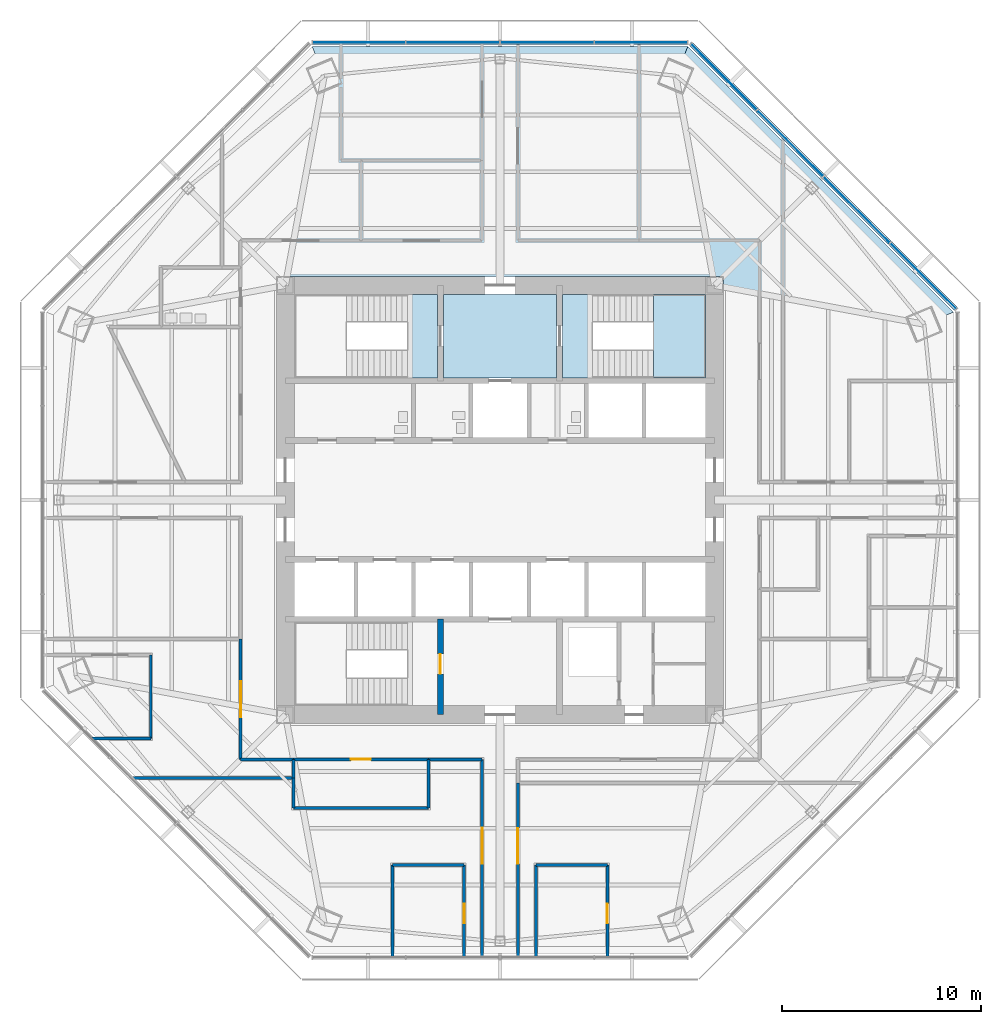
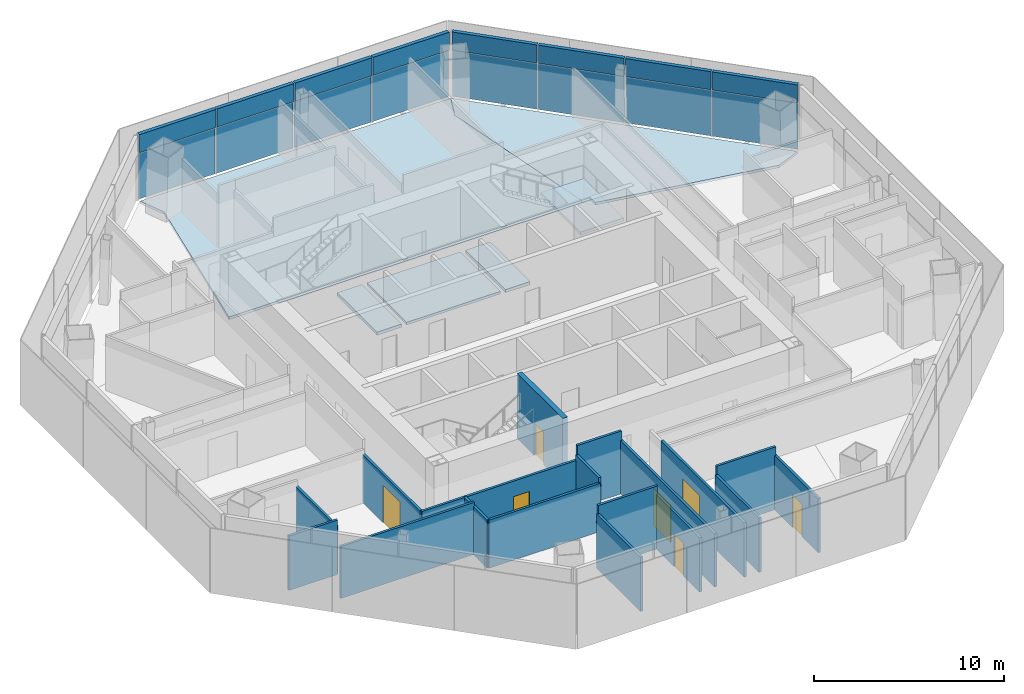
# One storey, part 8 of 15: 20 walls, 16 plates, 7 doors, 6 slabs, 7 openings, 4 elements without a shape of their own.
"""IFC4 building model written with IfcOpenShell, lengths in metres."""

from ifc_helpers import new_model, si_unit, direction, frame, frame_2d, origin, origin_2d, place, context, subcontext, project, spatial, polyline, rectangle, outline, extrude, source, transform, mapped, material, layer, layer_set, type_object, type_shapes, element, fill, aggregate, save


model = new_model("IFC4")

# Units and contexts
model_context = context("Model", 3, precision=1e-05, world=origin(), true_north=direction((0.0, 1.0)))
body_context = subcontext(model_context, "Body", "Model", "MODEL_VIEW")
ifc_project = project(units=[si_unit("LENGTHUNIT", "METRE"), si_unit("AREAUNIT", "SQUARE_METRE"), si_unit("VOLUMEUNIT", "CUBIC_METRE"), si_unit("PLANEANGLEUNIT", "RADIAN"), si_unit("MASSUNIT", "GRAM", prefix="KILO")], contexts=[model_context])

# Site, building, storey
site_placement = place(None, origin())
site = spatial("IfcSite", under=ifc_project, at=site_placement, CompositionType="ELEMENT")
building_placement = place(site_placement, origin())
building = spatial("IfcBuilding", under=site, at=building_placement, Name="Mashrafa Tower", CompositionType="ELEMENT")
storey_placement = place(building_placement, frame((0.0, 0.0, 176.39990234375)))
storey = spatial("IfcBuildingStorey", under=building, at=storey_placement, Name="L40", CompositionType="ELEMENT", Elevation=176.39990234375)

# Slabs
ifc_material_1 = material(Name="Concrete C35/45", Category="concrete")
ifc_layer_1 = layer(ifc_material_1, 0.1650390625)
ifc_layer_set_1 = layer_set([ifc_layer_1], Name="Floor slab 165")
slab_type_1 = type_object("IfcSlabType", Name="Floor slab 165", PredefinedType="FLOOR", material=ifc_layer_set_1)
slab_1_placement = place(storey_placement, frame((0.0, 0.0, -0.164794921875)))
element("IfcSlab", 1, at=slab_1_placement, inside=storey, type_object=slab_type_1, Name="Floor slab L40 north-east bay", PredefinedType="FLOOR", context=body_context, shape_type="SweptSolid", body=[
    extrude(outline(polyline([(9.454345703125, 22.82470703125), (22.82470703125, 9.454345703125), (22.82470703125, 9.454345703125), (21.35107421875, 8.843994140625), (11.25, 10.716552734375), (11.25, 11.25), (10.716552734375, 11.25), (8.843994140625, 21.35107421875), (9.454345703125, 22.82470703125), (9.454345703125, 22.82470703125)])), origin(), (0.0, 0.0, 1.0), 0.164794921875),
])
slab_2_placement = place(storey_placement, frame((0.0, 0.0, -0.164794921875)))
element("IfcSlab", 2, at=slab_2_placement, inside=storey, type_object=slab_type_1, Name="Floor slab L40 north bay", PredefinedType="FLOOR", context=body_context, shape_type="SweptSolid", body=[
    extrude(outline(polyline([(9.454345703125, 22.82470703125), (8.843994140625, 21.35107421875), (10.716552734375, 11.25), (-10.716552734375, 11.25), (-8.843994140625, 21.35107421875), (-9.454345703125, 22.82470703125), (9.454345703125, 22.82470703125)])), origin(), (0.0, 0.0, 1.0), 0.164794921875),
])
slab_3_placement = place(storey_placement, frame((0.0, 0.0, -0.164794921875)))
element("IfcSlab", 3, at=slab_3_placement, inside=storey, type_object=slab_type_1, Name="Core floor fire-fighting lobby north L40", PredefinedType="FLOOR", context=body_context, shape_type="SweptSolid", body=[
    extrude(outline(polyline([(-2.85009765625, 10.35009765625), (2.85009765625, 10.35009765625), (2.85009765625, 6.14990234375), (-2.85009765625, 6.14990234375), (-2.85009765625, 10.35009765625)])), origin(), (0.0, 0.0, 1.0), 0.164794921875),
])

# Stair, slab
ifc_material_2 = material(Name="Exit stair 1400")
stair_type = type_object("IfcStairType", Name="Exit stair 1400", PredefinedType="HALF_TURN_STAIR", material=ifc_material_2)
stair_1_placement = place(storey_placement, origin())
stair_1 = element("IfcStair", 4, at=stair_1_placement, inside=storey, type_object=stair_type, Name="Stair S1 L40", PredefinedType="HALF_TURN_STAIR")
ifc_material_3 = material(Name="Concrete C32/40", Category="concrete")
ifc_layer_2 = layer(ifc_material_3, 0.199951171875)
ifc_layer_set_2 = layer_set([ifc_layer_2], Name="Stair landing 200")
slab_type_2 = type_object("IfcSlabType", Name="Stair landing 200", PredefinedType="LANDING", material=ifc_layer_set_2)
slab_4_placement = place(storey_placement, frame((0.0, 0.0, -0.199951171875)))
slab_4 = element("IfcSlab", 5, at=slab_4_placement, type_object=slab_type_2, Name="S1 landing 1", PredefinedType="LANDING", context=body_context, shape_type="SweptSolid", body=[
    extrude(outline(polyline([(-4.659912109375, 6.14990234375), (-3.14990234375, 6.14990234375), (-3.14990234375, 10.35009765625), (-4.659912109375, 10.35009765625), (-4.659912109375, 6.14990234375)])), origin(), (0.0, 0.0, 1.0), 0.199951171875),
])
aggregate(stair_1, [slab_4])

# Stair, slabs
stair_2_placement = place(storey_placement, origin())
stair_2 = element("IfcStair", 6, at=stair_2_placement, inside=storey, type_object=stair_type, Name="Stair S2 L40", PredefinedType="HALF_TURN_STAIR")
slab_5_placement = place(storey_placement, frame((0.0, 0.0, -0.199951171875)))
slab_5 = element("IfcSlab", 7, at=slab_5_placement, type_object=slab_type_2, Name="S2 landing 1", PredefinedType="LANDING", context=body_context, shape_type="SweptSolid", body=[
    extrude(outline(polyline([(3.14990234375, 6.14990234375), (4.659912109375, 6.14990234375), (4.659912109375, 10.35009765625), (3.14990234375, 10.35009765625), (3.14990234375, 6.14990234375)])), origin(), (0.0, 0.0, 1.0), 0.199951171875),
])
slab_6_placement = place(storey_placement, frame((0.0, 0.0, 1.900146484375)))
slab_6 = element("IfcSlab", 8, at=slab_6_placement, type_object=slab_type_2, Name="S2 landing 2", PredefinedType="LANDING", context=body_context, shape_type="SweptSolid", body=[
    extrude(outline(polyline([(7.719970703125, 6.14990234375), (10.35009765625, 6.14990234375), (10.35009765625, 10.35009765625), (7.719970703125, 10.35009765625), (7.719970703125, 6.14990234375)])), origin(), (0.0, 0.0, 1.0), 0.199951171875),
])
aggregate(stair_2, [slab_5, slab_6])

# Curtain wall, plates
ifc_material_4 = material(Name="Unitised aluminium curtain wall", Category="aluminium")
curtain_wall_type = type_object("IfcCurtainWallType", Name="Office curtain wall, zone 2 CW-B 225 deep", PredefinedType="NOTDEFINED", material=ifc_material_4)
curtain_wall_1_placement = place(storey_placement, origin())
curtain_wall_1 = element("IfcCurtainWall", 9, at=curtain_wall_1_placement, inside=storey, type_object=curtain_wall_type, Name="Office curtain wall, zone 2 L40 north-east", PredefinedType="NOTDEFINED")
ifc_material_5 = material(Name="Insulated double glazing, low-e, neutral", Category="glass")
ifc_layer_3 = layer(ifc_material_5, 0.028076171875)
ifc_layer_set_3 = layer_set([ifc_layer_3], Name="Vision panel CW-B 28")
plate_type_1 = type_object("IfcPlateType", Name="Vision panel CW-B 28", PredefinedType="CURTAIN_PANEL", material=ifc_layer_set_3)
shared_shape_1 = source(origin(), body_context, "Body", "SweptSolid", [
    extrude(rectangle(XDim=4.642822265625, YDim=0.028076171875, at=origin_2d()), origin(), (0.0, 0.0, 1.0), 2.9599609375),
])
plate_1_placement = place(storey_placement, frame((21.297119140625, 11.2646484375, 0.0), z_axis=(0.0, 0.0, 1.0), x_axis=(-0.707106781187, 0.707106781187, 0.0)))
plate_1 = element("IfcPlate", 10, at=plate_1_placement, type_object=plate_type_1, Name="CW-B vision panel 1", PredefinedType="CURTAIN_PANEL", context=body_context, shape_type="MappedRepresentation", body=[
    mapped(shared_shape_1, transform((0.0, 0.0, 0.0))),
])
plate_2_placement = place(storey_placement, frame((11.2646484375, 21.297119140625, 0.0), z_axis=(0.0, 0.0, 1.0), x_axis=(-0.707106781187, 0.707106781187, 0.0)))
plate_2 = element("IfcPlate", 11, at=plate_2_placement, type_object=plate_type_1, Name="CW-B vision panel 4", PredefinedType="CURTAIN_PANEL", context=body_context, shape_type="MappedRepresentation", body=[
    mapped(shared_shape_1, transform((0.0, 0.0, 0.0))),
])

curtain_wall_2_placement = place(storey_placement, origin())
curtain_wall_2 = element("IfcCurtainWall", 12, at=curtain_wall_2_placement, inside=storey, type_object=curtain_wall_type, Name="Office curtain wall, zone 2 L40 north", PredefinedType="NOTDEFINED")
plate_3_placement = place(storey_placement, frame((7.09423828125, 23.024658203125, 0.0), z_axis=(0.0, 0.0, 1.0), x_axis=(-1.0, 0.0, 0.0)))
plate_3 = element("IfcPlate", 13, at=plate_3_placement, type_object=plate_type_1, Name="CW-B vision panel 1", PredefinedType="CURTAIN_PANEL", context=body_context, shape_type="MappedRepresentation", body=[
    mapped(shared_shape_1, transform((0.0, 0.0, 0.0))),
])
plate_4_placement = place(storey_placement, frame((-7.09423828125, 23.024658203125, 0.0), z_axis=(0.0, 0.0, 1.0), x_axis=(-1.0, 0.0, 0.0)))
plate_4 = element("IfcPlate", 14, at=plate_4_placement, type_object=plate_type_1, Name="CW-B vision panel 4", PredefinedType="CURTAIN_PANEL", context=body_context, shape_type="MappedRepresentation", body=[
    mapped(shared_shape_1, transform((0.0, 0.0, 0.0))),
])

# Plate
ifc_material_6 = material(Name="Insulated aluminium spandrel panel", Category="aluminium")
ifc_layer_4 = layer(ifc_material_6, 0.219970703125)
ifc_layer_set_4 = layer_set([ifc_layer_4], Name="Spandrel panel CW-B 220")
plate_type_2 = type_object("IfcPlateType", Name="Spandrel panel CW-B 220", PredefinedType="CURTAIN_PANEL", material=ifc_layer_set_4)
shared_shape_2 = source(origin(), body_context, "Body", "SweptSolid", [
    extrude(rectangle(XDim=4.642822265625, YDim=0.219970703125, at=origin_2d()), origin(), (0.0, 0.0, 1.0), 1.159912109375),
])
plate_5_placement = place(storey_placement, frame((21.297119140625, 11.2646484375, 3.0400390625), z_axis=(0.0, 0.0, 1.0), x_axis=(-0.707106781187, 0.707106781187, 0.0)))
plate_5 = element("IfcPlate", 15, at=plate_5_placement, type_object=plate_type_2, Name="CW-B spandrel panel 1", PredefinedType="CURTAIN_PANEL", context=body_context, shape_type="MappedRepresentation", body=[
    mapped(shared_shape_2, transform((0.0, 0.0, 0.0))),
])

plate_6_placement = place(storey_placement, frame((11.2646484375, 21.297119140625, 3.0400390625), z_axis=(0.0, 0.0, 1.0), x_axis=(-0.707106781187, 0.707106781187, 0.0)))
plate_6 = element("IfcPlate", 16, at=plate_6_placement, type_object=plate_type_2, Name="CW-B spandrel panel 4", PredefinedType="CURTAIN_PANEL", context=body_context, shape_type="MappedRepresentation", body=[
    mapped(shared_shape_2, transform((0.0, 0.0, 0.0))),
])

plate_7_placement = place(storey_placement, frame((7.09423828125, 23.024658203125, 3.0400390625), z_axis=(0.0, 0.0, 1.0), x_axis=(-1.0, 0.0, 0.0)))
plate_7 = element("IfcPlate", 17, at=plate_7_placement, type_object=plate_type_2, Name="CW-B spandrel panel 1", PredefinedType="CURTAIN_PANEL", context=body_context, shape_type="MappedRepresentation", body=[
    mapped(shared_shape_2, transform((0.0, 0.0, 0.0))),
])

plate_8_placement = place(storey_placement, frame((-7.09423828125, 23.024658203125, 3.0400390625), z_axis=(0.0, 0.0, 1.0), x_axis=(-1.0, 0.0, 0.0)))
plate_8 = element("IfcPlate", 18, at=plate_8_placement, type_object=plate_type_2, Name="CW-B spandrel panel 4", PredefinedType="CURTAIN_PANEL", context=body_context, shape_type="MappedRepresentation", body=[
    mapped(shared_shape_2, transform((0.0, 0.0, 0.0))),
])

shared_shape_3 = source(origin(), body_context, "Body", "SweptSolid", [
    extrude(rectangle(XDim=4.67529296875, YDim=0.028076171875, at=origin_2d()), origin(), (0.0, 0.0, 1.0), 2.9599609375),
])
type_shapes(plate_type_1, [shared_shape_1, shared_shape_3])
plate_9_placement = place(storey_placement, frame((17.956787109375, 14.60498046875, 0.0), z_axis=(0.0, 0.0, 1.0), x_axis=(-0.707106781187, 0.707106781187, 0.0)))
plate_9 = element("IfcPlate", 19, at=plate_9_placement, type_object=plate_type_1, Name="CW-B vision panel 2", PredefinedType="CURTAIN_PANEL", context=body_context, shape_type="MappedRepresentation", body=[
    mapped(shared_shape_3, transform((0.0, 0.0, 0.0))),
])

plate_10_placement = place(storey_placement, frame((14.60498046875, 17.956787109375, 0.0), z_axis=(0.0, 0.0, 1.0), x_axis=(-0.707106781187, 0.707106781187, 0.0)))
plate_10 = element("IfcPlate", 20, at=plate_10_placement, type_object=plate_type_1, Name="CW-B vision panel 3", PredefinedType="CURTAIN_PANEL", context=body_context, shape_type="MappedRepresentation", body=[
    mapped(shared_shape_3, transform((0.0, 0.0, 0.0))),
])

plate_11_placement = place(storey_placement, frame((2.3701171875, 23.024658203125, 0.0), z_axis=(0.0, 0.0, 1.0), x_axis=(-1.0, 0.0, 0.0)))
plate_11 = element("IfcPlate", 21, at=plate_11_placement, type_object=plate_type_1, Name="CW-B vision panel 2", PredefinedType="CURTAIN_PANEL", context=body_context, shape_type="MappedRepresentation", body=[
    mapped(shared_shape_3, transform((0.0, 0.0, 0.0))),
])

plate_12_placement = place(storey_placement, frame((-2.3701171875, 23.024658203125, 0.0), z_axis=(0.0, 0.0, 1.0), x_axis=(-1.0, 0.0, 0.0)))
plate_12 = element("IfcPlate", 22, at=plate_12_placement, type_object=plate_type_1, Name="CW-B vision panel 3", PredefinedType="CURTAIN_PANEL", context=body_context, shape_type="MappedRepresentation", body=[
    mapped(shared_shape_3, transform((0.0, 0.0, 0.0))),
])

shared_shape_4 = source(origin(), body_context, "Body", "SweptSolid", [
    extrude(rectangle(XDim=4.67529296875, YDim=0.219970703125, at=origin_2d()), origin(), (0.0, 0.0, 1.0), 1.159912109375),
])
type_shapes(plate_type_2, [shared_shape_2, shared_shape_4])
plate_13_placement = place(storey_placement, frame((17.956787109375, 14.60498046875, 3.0400390625), z_axis=(0.0, 0.0, 1.0), x_axis=(-0.707106781187, 0.707106781187, 0.0)))
plate_13 = element("IfcPlate", 23, at=plate_13_placement, type_object=plate_type_2, Name="CW-B spandrel panel 2", PredefinedType="CURTAIN_PANEL", context=body_context, shape_type="MappedRepresentation", body=[
    mapped(shared_shape_4, transform((0.0, 0.0, 0.0))),
])

plate_14_placement = place(storey_placement, frame((14.60498046875, 17.956787109375, 3.0400390625), z_axis=(0.0, 0.0, 1.0), x_axis=(-0.707106781187, 0.707106781187, 0.0)))
plate_14 = element("IfcPlate", 24, at=plate_14_placement, type_object=plate_type_2, Name="CW-B spandrel panel 3", PredefinedType="CURTAIN_PANEL", context=body_context, shape_type="MappedRepresentation", body=[
    mapped(shared_shape_4, transform((0.0, 0.0, 0.0))),
])

aggregate(curtain_wall_1, [plate_1, plate_5, plate_9, plate_13, plate_10, plate_14, plate_2, plate_6])

plate_15_placement = place(storey_placement, frame((2.3701171875, 23.024658203125, 3.0400390625), z_axis=(0.0, 0.0, 1.0), x_axis=(-1.0, 0.0, 0.0)))
plate_15 = element("IfcPlate", 25, at=plate_15_placement, type_object=plate_type_2, Name="CW-B spandrel panel 2", PredefinedType="CURTAIN_PANEL", context=body_context, shape_type="MappedRepresentation", body=[
    mapped(shared_shape_4, transform((0.0, 0.0, 0.0))),
])

plate_16_placement = place(storey_placement, frame((-2.3701171875, 23.024658203125, 3.0400390625), z_axis=(0.0, 0.0, 1.0), x_axis=(-1.0, 0.0, 0.0)))
plate_16 = element("IfcPlate", 26, at=plate_16_placement, type_object=plate_type_2, Name="CW-B spandrel panel 3", PredefinedType="CURTAIN_PANEL", context=body_context, shape_type="MappedRepresentation", body=[
    mapped(shared_shape_4, transform((0.0, 0.0, 0.0))),
])

aggregate(curtain_wall_2, [plate_3, plate_7, plate_11, plate_15, plate_12, plate_16, plate_4, plate_8])

# Wall, opening, door
ifc_material_7 = material(Name="Concrete C60/75", Category="concrete")
ifc_layer_5 = layer(ifc_material_7, 0.300048828125)
ifc_layer_set_5 = layer_set([ifc_layer_5], Name="Core wall 300 C60/75")
wall_type_1 = type_object("IfcWallType", Name="Core wall 300 C60/75", PredefinedType="SOLIDWALL", material=ifc_layer_set_5)
wall_1_placement = place(storey_placement, frame((-3.0, -6.0, 0.0), z_axis=(0.0, 0.0, 1.0), x_axis=(0.0, -1.0, 0.0)))
wall_1 = element("IfcWall", 27, at=wall_1_placement, inside=storey, type_object=wall_type_1, Name="Core wall CX-SW L40", PredefinedType="SOLIDWALL", context=body_context, shape_type="SweptSolid", body=[
    extrude(rectangle(XDim=4.800048828125, YDim=0.300048828125, at=frame_2d((2.39990234375, 0.0))), origin(), (0.0, 0.0, 1.0), 4.2001953125),
])
opening_1_placement = place(wall_1_placement, frame((1.75, 0.0, 0.0)))
opening_1 = element("IfcOpeningElement", 28, at=opening_1_placement, cuts=wall_1, Name="Opening 40.032", PredefinedType="OPENING", context=body_context, shape_type="SweptSolid", body=[
    extrude(rectangle(XDim=1.0, YDim=2.10009765625, at=frame_2d((0.5, 1.050048828125))), frame((0.0, 0.159912109375, 0.0), z_axis=(0.0, -1.0, 0.0), x_axis=(1.0, 0.0, 0.0)), (0.0, 0.0, 1.0), 0.320068359375),
])
ifc_material_8 = material(Name="Steel door", Category="steel")
door_type_1 = type_object("IfcDoorType", Name="Stair door 1000 x 2100 90 min", OperationType="USERDEFINED", PredefinedType="DOOR", material=ifc_material_8)
door_1_placement = place(opening_1_placement, frame((1.0, 0.0, 0.0), z_axis=(0.0, 0.0, 1.0), x_axis=(-1.0, 0.0, 0.0)))
door_1 = element("IfcDoor", 29, at=door_1_placement, inside=storey, type_object=door_type_1, Name="Stair S3 door L40", OperationType="SINGLE_SWING_RIGHT", OverallHeight=2.10009765625, OverallWidth=1.0, PredefinedType="DOOR", context=body_context, shape_type="SweptSolid", body=[
    extrude(rectangle(XDim=1.0, YDim=2.10009765625, at=frame_2d((0.5, 1.050048828125))), frame((0.0, 0.02490234375, 0.0), z_axis=(0.0, -1.0, 0.0), x_axis=(1.0, 0.0, 0.0)), (0.0, 0.0, 1.0), 0.050048828125),
])
fill(opening_1, door_1)

ifc_material_9 = material(Name="Gypsum board on steel studs", Category="steel")
ifc_layer_6 = layer(ifc_material_9, 0.14990234375)
ifc_layer_set_6 = layer_set([ifc_layer_6], Name="Corridor partition 150 1 hr")
wall_type_2 = type_object("IfcWallType", Name="Corridor partition 150 1 hr", PredefinedType="PARTITIONING", material=ifc_layer_set_6)
wall_2_placement = place(storey_placement, frame((-10.40087890625, -13.050048828125, 0.0), z_axis=(0.0, 0.0, 1.0), x_axis=(1.0, 0.0, 0.0)))
wall_2 = element("IfcWall", 30, at=wall_2_placement, inside=storey, type_object=wall_type_2, Name="Corridor wall L40-006", PredefinedType="PARTITIONING", context=body_context, shape_type="SweptSolid", body=[
    extrude(rectangle(XDim=6.8017578125, YDim=0.14990234375, at=frame_2d((3.40087890625, 0.0))), origin(), (0.0, 0.0, 1.0), 3.097900390625),
])
opening_2_placement = place(wall_2_placement, frame((2.90087890625, 0.0, 0.0)))
opening_2 = element("IfcOpeningElement", 31, at=opening_2_placement, cuts=wall_2, Name="Opening 40.006", PredefinedType="OPENING", context=body_context, shape_type="SweptSolid", body=[
    extrude(rectangle(XDim=1.0, YDim=2.10009765625, at=frame_2d((0.5, 1.050048828125))), frame((0.0, 0.0849609375, 0.0), z_axis=(0.0, -1.0, 0.0), x_axis=(1.0, 0.0, 0.0)), (0.0, 0.0, 1.0), 0.169921875),
])
ifc_material_10 = material(Name="Timber door", Category="wood")
door_type_2 = type_object("IfcDoorType", Name="Door 1000 x 2100", OperationType="USERDEFINED", PredefinedType="DOOR", material=ifc_material_10)
door_2_placement = place(opening_2_placement, frame((1.0, 0.0, 0.0), z_axis=(0.0, 0.0, 1.0), x_axis=(-1.0, 0.0, 0.0)))
door_2 = element("IfcDoor", 32, at=door_2_placement, inside=storey, type_object=door_type_2, Name="Executive Pantry 40 door", OperationType="SINGLE_SWING_LEFT", OverallHeight=2.10009765625, OverallWidth=1.0, PredefinedType="DOOR", context=body_context, shape_type="SweptSolid", body=[
    extrude(rectangle(XDim=1.0, YDim=2.10009765625, at=frame_2d((0.5, 1.050048828125))), frame((0.0, 0.02490234375, 0.0), z_axis=(0.0, -1.0, 0.0), x_axis=(1.0, 0.0, 0.0)), (0.0, 0.0, 1.0), 0.050048828125),
])
fill(opening_2, door_2)

# Wall
wall_3_placement = place(storey_placement, frame((-3.60107421875, -13.050048828125, 0.0), z_axis=(0.0, 0.0, 1.0), x_axis=(1.0, 0.0, 0.0)))
element("IfcWall", 33, at=wall_3_placement, inside=storey, type_object=wall_type_2, Name="Corridor wall L40-020", PredefinedType="PARTITIONING", context=body_context, shape_type="SweptSolid", body=[
    extrude(rectangle(XDim=2.701171875, YDim=0.14990234375, at=frame_2d((1.3505859375, 0.0))), origin(), (0.0, 0.0, 1.0), 4.03515625),
])

# Wall, opening, door
wall_4_placement = place(storey_placement, frame((-0.89990234375, -13.050048828125, 0.0), z_axis=(0.0, 0.0, 1.0), x_axis=(0.0, -1.0, 0.0)))
wall_4 = element("IfcWall", 34, at=wall_4_placement, inside=storey, type_object=wall_type_2, Name="Corridor wall L40-021", PredefinedType="PARTITIONING", context=body_context, shape_type="SweptSolid", body=[
    extrude(rectangle(XDim=9.95849609375, YDim=0.14990234375, at=frame_2d((4.979248046875, 0.0))), origin(), (0.0, 0.0, 1.0), 3.42578125),
])
opening_3_placement = place(wall_4_placement, frame((3.452392578125, 0.0, 0.0)))
opening_3 = element("IfcOpeningElement", 35, at=opening_3_placement, cuts=wall_4, Name="Opening 40.018", PredefinedType="OPENING", context=body_context, shape_type="SweptSolid", body=[
    extrude(rectangle(XDim=1.800048828125, YDim=2.39990234375, at=frame_2d((0.89990234375, 1.199951171875))), frame((0.0, 0.0849609375, 0.0), z_axis=(0.0, -1.0, 0.0), x_axis=(1.0, 0.0, 0.0)), (0.0, 0.0, 1.0), 0.169921875),
])
ifc_material_11 = material(Name="Timber door", Category="wood")
door_type_3 = type_object("IfcDoorType", Name="Door pair 1800 x 2400", OperationType="DOUBLE_DOOR_SINGLE_SWING", PredefinedType="DOOR", material=ifc_material_11)
door_3_placement = place(opening_3_placement, frame((1.800048828125, 0.0, 0.0), z_axis=(0.0, 0.0, 1.0), x_axis=(-1.0, 0.0, 0.0)))
door_3 = element("IfcDoor", 36, at=door_3_placement, inside=storey, type_object=door_type_3, Name="Board Secretariat Office 40-SW3 door", OperationType="DOUBLE_DOOR_SINGLE_SWING", OverallHeight=2.39990234375, OverallWidth=1.800048828125, PredefinedType="DOOR", context=body_context, shape_type="SweptSolid", body=[
    extrude(rectangle(XDim=1.800048828125, YDim=2.39990234375, at=frame_2d((0.89990234375, 1.199951171875))), frame((0.0, 0.02490234375, 0.0), z_axis=(0.0, -1.0, 0.0), x_axis=(1.0, 0.0, 0.0)), (0.0, 0.0, 1.0), 0.050048828125),
])
fill(opening_3, door_3)

wall_5_placement = place(storey_placement, frame((-13.050048828125, -6.9990234375, 0.0), z_axis=(0.0, 0.0, 1.0), x_axis=(0.0, -1.0, 0.0)))
wall_5 = element("IfcWall", 37, at=wall_5_placement, inside=storey, type_object=wall_type_2, Name="Corridor wall L40-022", PredefinedType="PARTITIONING", context=body_context, shape_type="SweptSolid", body=[
    extrude(rectangle(XDim=6.051025390625, YDim=0.14990234375, at=frame_2d((3.025390625, 0.0))), origin(), (0.0, 0.0, 1.0), 3.097900390625),
])
opening_4_placement = place(wall_5_placement, frame((2.12548828125, 0.0, 0.0)))
opening_4 = element("IfcOpeningElement", 38, at=opening_4_placement, cuts=wall_5, Name="Opening 40.019", PredefinedType="OPENING", context=body_context, shape_type="SweptSolid", body=[
    extrude(rectangle(XDim=1.800048828125, YDim=2.39990234375, at=frame_2d((0.89990234375, 1.199951171875))), frame((0.0, 0.0849609375, 0.0), z_axis=(0.0, -1.0, 0.0), x_axis=(1.0, 0.0, 0.0)), (0.0, 0.0, 1.0), 0.169921875),
])
door_4_placement = place(opening_4_placement, frame((1.800048828125, 0.0, 0.0), z_axis=(0.0, 0.0, 1.0), x_axis=(-1.0, 0.0, 0.0)))
door_4 = element("IfcDoor", 39, at=door_4_placement, inside=storey, type_object=door_type_3, Name="Corporate Affairs Office 40-SW2 door", OperationType="DOUBLE_DOOR_SINGLE_SWING", OverallHeight=2.39990234375, OverallWidth=1.800048828125, PredefinedType="DOOR", context=body_context, shape_type="SweptSolid", body=[
    extrude(rectangle(XDim=1.800048828125, YDim=2.39990234375, at=frame_2d((0.89990234375, 1.199951171875))), frame((0.0, 0.02490234375, 0.0), z_axis=(0.0, -1.0, 0.0), x_axis=(1.0, 0.0, 0.0)), (0.0, 0.0, 1.0), 0.050048828125),
])
fill(opening_4, door_4)

# Wall
wall_6_placement = place(storey_placement, frame((-13.050048828125, -13.050048828125, 0.0), z_axis=(0.0, 0.0, 1.0), x_axis=(1.0, 0.0, 0.0)))
element("IfcWall", 40, at=wall_6_placement, inside=storey, type_object=wall_type_2, Name="Corridor wall L40-023", PredefinedType="PARTITIONING", context=body_context, shape_type="SweptSolid", body=[
    extrude(rectangle(XDim=2.651123046875, YDim=0.14990234375, at=frame_2d((1.32568359375, 0.0))), origin(), (0.0, 0.0, 1.0), 3.097900390625),
])

# Wall, opening, door
wall_7_placement = place(storey_placement, frame((0.89990234375, -23.008544921875, 0.0), z_axis=(0.0, 0.0, 1.0), x_axis=(0.0, 1.0, 0.0)))
wall_7 = element("IfcWall", 41, at=wall_7_placement, inside=storey, type_object=wall_type_2, Name="Corridor wall L40-026", PredefinedType="PARTITIONING", context=body_context, shape_type="SweptSolid", body=[
    extrude(rectangle(XDim=8.759521484375, YDim=0.14990234375, at=frame_2d((4.3798828125, 0.0))), origin(), (0.0, 0.0, 1.0), 3.49169921875),
])
opening_5_placement = place(wall_7_placement, frame((4.701904296875, 0.0, 0.0)))
opening_5 = element("IfcOpeningElement", 42, at=opening_5_placement, cuts=wall_7, Name="Opening 40.021", PredefinedType="OPENING", context=body_context, shape_type="SweptSolid", body=[
    extrude(rectangle(XDim=1.800048828125, YDim=2.39990234375, at=frame_2d((0.89990234375, 1.199951171875))), frame((0.0, 0.0849609375, 0.0), z_axis=(0.0, -1.0, 0.0), x_axis=(1.0, 0.0, 0.0)), (0.0, 0.0, 1.0), 0.169921875),
])
door_5_placement = place(opening_5_placement, frame((1.800048828125, 0.0, 0.0), z_axis=(0.0, 0.0, 1.0), x_axis=(-1.0, 0.0, 0.0)))
door_5 = element("IfcDoor", 43, at=door_5_placement, inside=storey, type_object=door_type_3, Name="Board Secretariat Office 40-SE3 door", OperationType="DOUBLE_DOOR_SINGLE_SWING", OverallHeight=2.39990234375, OverallWidth=1.800048828125, PredefinedType="DOOR", context=body_context, shape_type="SweptSolid", body=[
    extrude(rectangle(XDim=1.800048828125, YDim=2.39990234375, at=frame_2d((0.89990234375, 1.199951171875))), frame((0.0, 0.02490234375, 0.0), z_axis=(0.0, -1.0, 0.0), x_axis=(1.0, 0.0, 0.0)), (0.0, 0.0, 1.0), 0.050048828125),
])
fill(opening_5, door_5)

# Walls
ifc_material_12 = material(Name="Gypsum board on steel studs", Category="steel")
ifc_layer_7 = layer(ifc_material_12, 0.14990234375)
ifc_layer_set_7 = layer_set([ifc_layer_7], Name="Partition 150")
wall_type_3 = type_object("IfcWallType", Name="Partition 150", PredefinedType="PARTITIONING", material=ifc_layer_set_7)
wall_8_placement = place(storey_placement, frame((-20.537841796875, -12.0, 0.0), z_axis=(0.0, 0.0, 1.0), x_axis=(1.0, 0.0, 0.0)))
element("IfcWall", 44, at=wall_8_placement, inside=storey, type_object=wall_type_3, Name="Partition wall L40-044", PredefinedType="PARTITIONING", context=body_context, shape_type="SweptSolid", body=[
    extrude(rectangle(XDim=2.963134765625, YDim=0.14990234375, at=frame_2d((1.4814453125, 0.0))), origin(), (0.0, 0.0, 1.0), 3.499267578125),
])
wall_9_placement = place(storey_placement, frame((-17.57470703125, -12.0, 0.0), z_axis=(0.0, 0.0, 1.0), x_axis=(0.0, 1.0, 0.0)))
element("IfcWall", 45, at=wall_9_placement, inside=storey, type_object=wall_type_3, Name="Partition wall L40-045", PredefinedType="PARTITIONING", context=body_context, shape_type="SweptSolid", body=[
    extrude(rectangle(XDim=4.199951171875, YDim=0.14990234375, at=frame_2d((2.10009765625, 0.0))), origin(), (0.0, 0.0, 1.0), 3.097900390625),
])
wall_10_placement = place(storey_placement, frame((-10.39990234375, -13.9990234375, 0.0), z_axis=(0.0, 0.0, 1.0), x_axis=(0.0, -1.0, 0.0)))
element("IfcWall", 46, at=wall_10_placement, inside=storey, type_object=wall_type_3, Name="Partition wall L40-047", PredefinedType="PARTITIONING", context=body_context, shape_type="SweptSolid", body=[
    extrude(rectangle(XDim=1.5009765625, YDim=0.14990234375, at=frame_2d((0.75048828125, 0.0))), origin(), (0.0, 0.0, 1.0), 3.097900390625),
])
wall_11_placement = place(storey_placement, frame((-10.39990234375, -15.5, 0.0), z_axis=(0.0, 0.0, 1.0), x_axis=(1.0, 0.0, 0.0)))
element("IfcWall", 47, at=wall_11_placement, inside=storey, type_object=wall_type_3, Name="Partition wall L40-048", PredefinedType="PARTITIONING", context=body_context, shape_type="SweptSolid", body=[
    extrude(rectangle(XDim=6.7998046875, YDim=0.14990234375, at=frame_2d((3.39990234375, 0.0))), origin(), (0.0, 0.0, 1.0), 3.097900390625),
])
wall_12_placement = place(storey_placement, frame((-3.60009765625, -15.5, 0.0), z_axis=(0.0, 0.0, 1.0), x_axis=(0.0, 1.0, 0.0)))
element("IfcWall", 48, at=wall_12_placement, inside=storey, type_object=wall_type_3, Name="Partition wall L40-049", PredefinedType="PARTITIONING", context=body_context, shape_type="SweptSolid", body=[
    extrude(rectangle(XDim=2.449951171875, YDim=0.14990234375, at=frame_2d((1.22509765625, 0.0))), origin(), (0.0, 0.0, 1.0), 3.42578125),
])
wall_13_placement = place(storey_placement, frame((-10.39990234375, -13.050048828125, 0.0), z_axis=(0.0, 0.0, 1.0), x_axis=(0.0, -1.0, 0.0)))
element("IfcWall", 49, at=wall_13_placement, inside=storey, type_object=wall_type_3, Name="Partition wall L40-050", PredefinedType="PARTITIONING", context=body_context, shape_type="SweptSolid", body=[
    extrude(rectangle(XDim=0.950927734375, YDim=0.14990234375, at=frame_2d((0.4755859375, 0.0))), origin(), (0.0, 0.0, 1.0), 3.097900390625),
])

# Wall, opening, door
wall_14_placement = place(storey_placement, frame((-1.800048828125, -23.008544921875, 0.0), z_axis=(0.0, 0.0, 1.0), x_axis=(0.0, 1.0, 0.0)))
wall_14 = element("IfcWall", 50, at=wall_14_placement, inside=storey, type_object=wall_type_3, Name="Partition wall L40-060", PredefinedType="PARTITIONING", context=body_context, shape_type="SweptSolid", body=[
    extrude(rectangle(XDim=4.634033203125, YDim=0.14990234375, at=frame_2d((2.31689453125, 0.0))), origin(), (0.0, 0.0, 1.0), 3.49169921875),
])
opening_6_placement = place(wall_14_placement, frame((1.698974609375, 0.0, 0.0)))
opening_6 = element("IfcOpeningElement", 51, at=opening_6_placement, cuts=wall_14, Name="Opening 40.010", PredefinedType="OPENING", context=body_context, shape_type="SweptSolid", body=[
    extrude(rectangle(XDim=1.0, YDim=2.10009765625, at=frame_2d((0.5, 1.050048828125))), frame((0.0, 0.0849609375, 0.0), z_axis=(0.0, -1.0, 0.0), x_axis=(1.0, 0.0, 0.0)), (0.0, 0.0, 1.0), 0.169921875),
])
door_6_placement = place(opening_6_placement, origin())
door_6 = element("IfcDoor", 52, at=door_6_placement, inside=storey, type_object=door_type_2, Name="Executive Office 40-SW3 door", OperationType="SINGLE_SWING_LEFT", OverallHeight=2.10009765625, OverallWidth=1.0, PredefinedType="DOOR", context=body_context, shape_type="SweptSolid", body=[
    extrude(rectangle(XDim=1.0, YDim=2.10009765625, at=frame_2d((0.5, 1.050048828125))), frame((0.0, 0.02490234375, 0.0), z_axis=(0.0, -1.0, 0.0), x_axis=(1.0, 0.0, 0.0)), (0.0, 0.0, 1.0), 0.050048828125),
])
fill(opening_6, door_6)

# Walls
wall_15_placement = place(storey_placement, frame((-1.800048828125, -18.37451171875, 0.0), z_axis=(0.0, 0.0, 1.0), x_axis=(-1.0, 0.0, 0.0)))
element("IfcWall", 53, at=wall_15_placement, inside=storey, type_object=wall_type_3, Name="Partition wall L40-061", PredefinedType="PARTITIONING", context=body_context, shape_type="SweptSolid", body=[
    extrude(rectangle(XDim=3.599853515625, YDim=0.14990234375, at=frame_2d((1.7998046875, 0.0))), origin(), (0.0, 0.0, 1.0), 4.03515625),
])
wall_16_placement = place(storey_placement, frame((-5.39990234375, -18.37451171875, 0.0), z_axis=(0.0, 0.0, 1.0), x_axis=(0.0, -1.0, 0.0)))
element("IfcWall", 54, at=wall_16_placement, inside=storey, type_object=wall_type_3, Name="Partition wall L40-062", PredefinedType="PARTITIONING", context=body_context, shape_type="SweptSolid", body=[
    extrude(rectangle(XDim=4.632080078125, YDim=0.14990234375, at=frame_2d((2.31591796875, 0.0))), origin(), (0.0, 0.0, 1.0), 3.49169921875),
])

# Wall, opening, door
wall_17_placement = place(storey_placement, frame((5.39990234375, -23.008544921875, 0.0), z_axis=(0.0, 0.0, 1.0), x_axis=(0.0, 1.0, 0.0)))
wall_17 = element("IfcWall", 55, at=wall_17_placement, inside=storey, type_object=wall_type_3, Name="Partition wall L40-063", PredefinedType="PARTITIONING", context=body_context, shape_type="SweptSolid", body=[
    extrude(rectangle(XDim=4.634033203125, YDim=0.14990234375, at=frame_2d((2.31689453125, 0.0))), origin(), (0.0, 0.0, 1.0), 3.49169921875),
])
opening_7_placement = place(wall_17_placement, frame((1.698974609375, 0.0, 0.0)))
opening_7 = element("IfcOpeningElement", 56, at=opening_7_placement, cuts=wall_17, Name="Opening 40.011", PredefinedType="OPENING", context=body_context, shape_type="SweptSolid", body=[
    extrude(rectangle(XDim=1.0, YDim=2.10009765625, at=frame_2d((0.5, 1.050048828125))), frame((0.0, 0.0849609375, 0.0), z_axis=(0.0, -1.0, 0.0), x_axis=(1.0, 0.0, 0.0)), (0.0, 0.0, 1.0), 0.169921875),
])
door_7_placement = place(opening_7_placement, origin())
door_7 = element("IfcDoor", 57, at=door_7_placement, inside=storey, type_object=door_type_2, Name="Executive Office 40-SE3 door", OperationType="SINGLE_SWING_LEFT", OverallHeight=2.10009765625, OverallWidth=1.0, PredefinedType="DOOR", context=body_context, shape_type="SweptSolid", body=[
    extrude(rectangle(XDim=1.0, YDim=2.10009765625, at=frame_2d((0.5, 1.050048828125))), frame((0.0, 0.02490234375, 0.0), z_axis=(0.0, -1.0, 0.0), x_axis=(1.0, 0.0, 0.0)), (0.0, 0.0, 1.0), 0.050048828125),
])
fill(opening_7, door_7)

# Walls
wall_18_placement = place(storey_placement, frame((5.39990234375, -18.37451171875, 0.0), z_axis=(0.0, 0.0, 1.0), x_axis=(-1.0, 0.0, 0.0)))
element("IfcWall", 58, at=wall_18_placement, inside=storey, type_object=wall_type_3, Name="Partition wall L40-064", PredefinedType="PARTITIONING", context=body_context, shape_type="SweptSolid", body=[
    extrude(rectangle(XDim=3.599853515625, YDim=0.14990234375, at=frame_2d((1.7998046875, 0.0))), origin(), (0.0, 0.0, 1.0), 4.03515625),
])
wall_19_placement = place(storey_placement, frame((1.800048828125, -18.37451171875, 0.0), z_axis=(0.0, 0.0, 1.0), x_axis=(0.0, -1.0, 0.0)))
element("IfcWall", 59, at=wall_19_placement, inside=storey, type_object=wall_type_3, Name="Partition wall L40-065", PredefinedType="PARTITIONING", context=body_context, shape_type="SweptSolid", body=[
    extrude(rectangle(XDim=4.632080078125, YDim=0.14990234375, at=frame_2d((2.31591796875, 0.0))), origin(), (0.0, 0.0, 1.0), 3.49169921875),
])
wall_20_placement = place(storey_placement, frame((-10.39990234375, -14.0, 0.0), z_axis=(0.0, 0.0, 1.0), x_axis=(-1.0, 0.0, 0.0)))
element("IfcWall", 60, at=wall_20_placement, inside=storey, type_object=wall_type_3, Name="Partition wall L40-070", PredefinedType="PARTITIONING", context=body_context, shape_type="SweptSolid", body=[
    extrude(rectangle(XDim=8.137939453125, YDim=0.14990234375, at=frame_2d((4.06884765625, 0.0))), origin(), (0.0, 0.0, 1.0), 3.341796875),
])

save(model, "model.ifc")
